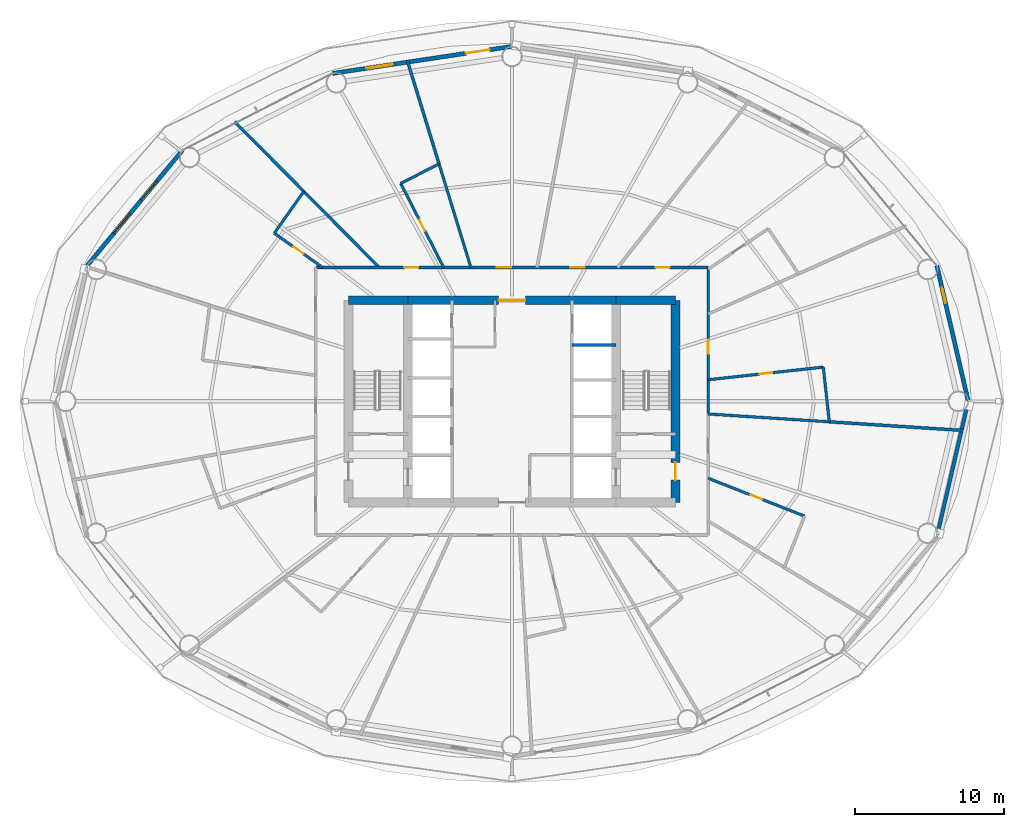
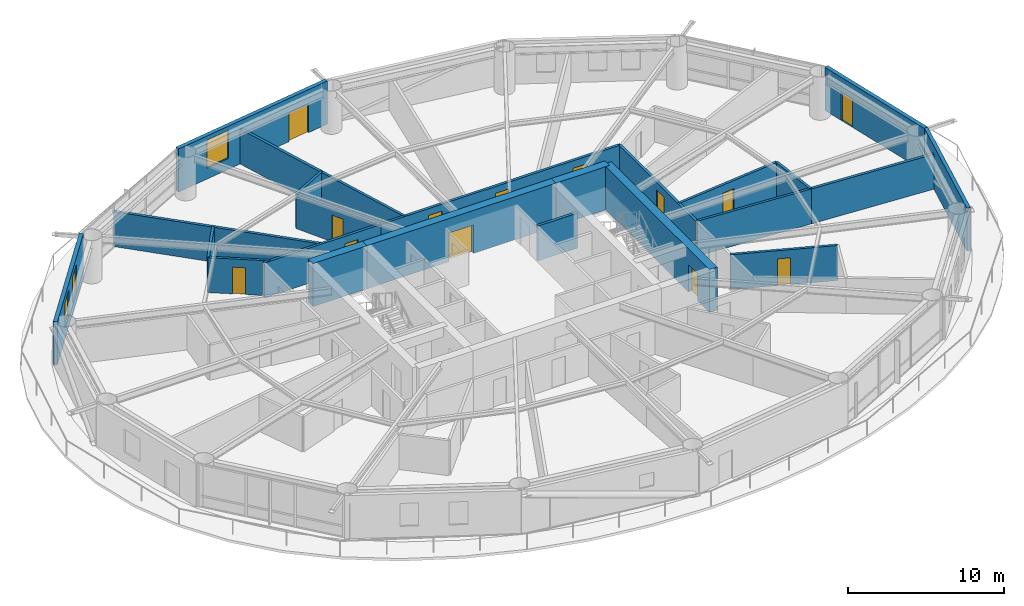
# One storey, part 22 of 26: 24 walls, 13 doors, 3 windows, 16 openings.
"""IFC4 building model written with IfcOpenShell, lengths in metres."""

from ifc_helpers import new_model, si_unit, direction, frame, frame_2d, origin, place, context, subcontext, project, spatial, rectangle, extrude, material, layer, layer_set, type_object, element, fill, save


model = new_model("IFC4")

# Units and contexts
model_context = context("Model", 3, precision=1e-05, world=origin(), true_north=direction((0.0, 1.0)))
body_context = subcontext(model_context, "Body", "Model", "MODEL_VIEW")
ifc_project = project(units=[si_unit("LENGTHUNIT", "METRE"), si_unit("AREAUNIT", "SQUARE_METRE"), si_unit("VOLUMEUNIT", "CUBIC_METRE"), si_unit("PLANEANGLEUNIT", "RADIAN"), si_unit("MASSUNIT", "GRAM", prefix="KILO")], contexts=[model_context])

# Site, building, storey
site_placement = place(None, origin())
site = spatial("IfcSite", under=ifc_project, at=site_placement, CompositionType="ELEMENT")
building_placement = place(site_placement, origin())
building = spatial("IfcBuilding", under=site, at=building_placement, Name="Sarneth Arch Tower", CompositionType="ELEMENT")
storey_placement = place(building_placement, frame((0.0, 0.0, 49.800048828125)))
storey = spatial("IfcBuildingStorey", under=building, at=storey_placement, Name="L11", CompositionType="ELEMENT", Elevation=49.800048828125)

# Wall
ifc_material_1 = material(Name="Concrete C60/75", Category="concrete")
ifc_layer_1 = layer(ifc_material_1, 0.60009765625)
ifc_layer_set_1 = layer_set([ifc_layer_1], Name="Concrete C60/75")
wall_type_1 = type_object("IfcWallType", Name="WALL-CORE-600", PredefinedType="SHEAR", material=ifc_layer_set_1)
wall_1_placement = place(storey_placement, frame((37.0, 48.800048828125, 0.0), z_axis=(0.0, 0.0, 1.0), x_axis=(1.0, 0.0, 0.0)))
element("IfcWall", 1, at=wall_1_placement, inside=storey, type_object=wall_type_1, Name="L11 Core shear wall N-W", PredefinedType="SHEAR", context=body_context, shape_type="SweptSolid", body=[
    extrude(rectangle(XDim=4.0, YDim=0.60009765625, at=frame_2d((2.0, 0.0))), origin(), (0.0, 0.0, 1.0), 3.3798828125),
])

# Wall, opening, door
wall_2_placement = place(storey_placement, frame((41.0, 48.800048828125, 0.0), z_axis=(0.0, 0.0, 1.0), x_axis=(1.0, 0.0, 0.0)))
wall_2 = element("IfcWall", 2, at=wall_2_placement, inside=storey, type_object=wall_type_1, Name="L11 Core shear wall N-M", PredefinedType="SHEAR", context=body_context, shape_type="SweptSolid", body=[
    extrude(rectangle(XDim=14.0, YDim=0.60009765625, at=frame_2d((7.0, 0.0))), origin(), (0.0, 0.0, 1.0), 3.3798828125),
])
opening_1_placement = place(wall_2_placement, frame((6.10009765625, 0.0, 0.0)))
opening_1 = element("IfcOpeningElement", 3, at=opening_1_placement, cuts=wall_2, Name="Opening FD-01", PredefinedType="OPENING", context=body_context, shape_type="SweptSolid", body=[
    extrude(rectangle(XDim=1.800048828125, YDim=2.25, at=frame_2d((0.89990234375, 1.125))), frame((0.0, 0.31005859375, 0.0), z_axis=(0.0, -1.0, 0.0), x_axis=(1.0, 0.0, 0.0)), (0.0, 0.0, 1.0), 0.6201171875),
])
ifc_material_2 = material(Name="Galvanised Steel S275 fire door set", Category="steel")
door_type_1 = type_object("IfcDoorType", Name="DR-FD90-1800", OperationType="DOUBLE_DOOR_SINGLE_SWING", PredefinedType="DOOR", material=ifc_material_2)
door_1_placement = place(opening_1_placement, origin())
door_1 = element("IfcDoor", 4, at=door_1_placement, inside=storey, type_object=door_type_1, Name="L11 Central lift lobby north door", OperationType="DOUBLE_DOOR_SINGLE_SWING", OverallHeight=2.25, OverallWidth=1.800048828125, PredefinedType="DOOR", context=body_context, shape_type="SweptSolid", body=[
    extrude(rectangle(XDim=1.800048828125, YDim=2.25, at=frame_2d((0.89990234375, 1.125))), frame((0.0, 0.02490234375, 0.0), z_axis=(0.0, -1.0, 0.0), x_axis=(1.0, 0.0, 0.0)), (0.0, 0.0, 1.0), 0.050048828125),
])
fill(opening_1, door_1)

# Wall
wall_3_placement = place(storey_placement, frame((55.0, 48.800048828125, 0.0), z_axis=(0.0, 0.0, 1.0), x_axis=(1.0, 0.0, 0.0)))
element("IfcWall", 5, at=wall_3_placement, inside=storey, type_object=wall_type_1, Name="L11 Core shear wall N-E", PredefinedType="SHEAR", context=body_context, shape_type="SweptSolid", body=[
    extrude(rectangle(XDim=4.0, YDim=0.60009765625, at=frame_2d((2.0, 0.0))), origin(), (0.0, 0.0, 1.0), 3.3798828125),
])

# Wall, opening, door
wall_4_placement = place(storey_placement, frame((59.0, 35.199951171875, 0.0), z_axis=(0.0, 0.0, 1.0), x_axis=(0.0, 1.0, 0.0)))
wall_4 = element("IfcWall", 6, at=wall_4_placement, inside=storey, type_object=wall_type_1, Name="L11 Core shear wall E", PredefinedType="SHEAR", context=body_context, shape_type="SweptSolid", body=[
    extrude(rectangle(XDim=13.60009765625, YDim=0.60009765625, at=frame_2d((6.800048828125, 0.0))), origin(), (0.0, 0.0, 1.0), 3.3798828125),
])
opening_2_placement = place(wall_4_placement, frame((1.5, 0.0, 0.0)))
opening_2 = element("IfcOpeningElement", 7, at=opening_2_placement, cuts=wall_4, Name="Opening FD-02", PredefinedType="OPENING", context=body_context, shape_type="SweptSolid", body=[
    extrude(rectangle(XDim=1.199951171875, YDim=2.14990234375, at=frame_2d((0.60009765625, 1.074951171875))), frame((0.0, 0.31005859375, 0.0), z_axis=(0.0, -1.0, 0.0), x_axis=(1.0, 0.0, 0.0)), (0.0, 0.0, 1.0), 0.6201171875),
])
ifc_material_3 = material(Name="Galvanised Steel S275 fire door set", Category="steel")
door_type_2 = type_object("IfcDoorType", Name="DR-FD90-1200", OperationType="SINGLE_SWING_LEFT", PredefinedType="DOOR", material=ifc_material_3)
door_2_placement = place(opening_2_placement, origin())
door_2 = element("IfcDoor", 8, at=door_2_placement, inside=storey, type_object=door_type_2, Name="L11 Firefighting lobby 2 exit door", OperationType="SINGLE_SWING_RIGHT", OverallHeight=2.14990234375, OverallWidth=1.199951171875, PredefinedType="DOOR", context=body_context, shape_type="SweptSolid", body=[
    extrude(rectangle(XDim=1.199951171875, YDim=2.14990234375, at=frame_2d((0.60009765625, 1.074951171875))), frame((0.0, 0.02490234375, 0.0), z_axis=(0.0, -1.0, 0.0), x_axis=(1.0, 0.0, 0.0)), (0.0, 0.0, 1.0), 0.050048828125),
])
fill(opening_2, door_2)

# Wall, openings, doors
ifc_material_4 = material(Name="Double steel-stud corridor fire wall", Category="steel")
ifc_layer_2 = layer(ifc_material_4, 0.18994140625)
ifc_layer_set_2 = layer_set([ifc_layer_2], Name="Double steel-stud corridor fire wall")
wall_type_2 = type_object("IfcWallType", Name="WALL-CORR-190", PredefinedType="PARTITIONING", material=ifc_layer_set_2)
wall_5_placement = place(storey_placement, frame((43.369140625, 51.0, 0.0), z_axis=(0.0, 0.0, 1.0), x_axis=(1.0, 0.0, 0.0)))
wall_5 = element("IfcWall", 9, at=wall_5_placement, inside=storey, type_object=wall_type_2, Name="L11 Interior partition W-L11-TP-001", PredefinedType="PARTITIONING", context=body_context, shape_type="SweptSolid", body=[
    extrude(rectangle(XDim=17.830810546875, YDim=0.18994140625, at=frame_2d((8.91552734375, 0.0))), origin(), (0.0, 0.0, 1.0), 2.739990234375),
])
opening_3_placement = place(wall_5_placement, frame((14.290283203125, 0.0, 0.0)))
opening_3 = element("IfcOpeningElement", 10, at=opening_3_placement, cuts=wall_5, Name="Opening FD-09", PredefinedType="OPENING", context=body_context, shape_type="SweptSolid", body=[
    extrude(rectangle(XDim=0.949951171875, YDim=2.14990234375, at=frame_2d((0.47509765625, 1.074951171875))), frame((0.0, 0.10498046875, 0.0), z_axis=(0.0, -1.0, 0.0), x_axis=(1.0, 0.0, 0.0)), (0.0, 0.0, 1.0), 0.2099609375),
])
opening_4_placement = place(wall_5_placement, frame((8.533203125, 0.0, 0.0)))
opening_4 = element("IfcOpeningElement", 11, at=opening_4_placement, cuts=wall_5, Name="Opening FD-08", PredefinedType="OPENING", context=body_context, shape_type="SweptSolid", body=[
    extrude(rectangle(XDim=1.0, YDim=2.199951171875, at=frame_2d((0.5, 1.10009765625))), frame((0.0, 0.10498046875, 0.0), z_axis=(0.0, -1.0, 0.0), x_axis=(1.0, 0.0, 0.0)), (0.0, 0.0, 1.0), 0.2099609375),
])
opening_5_placement = place(wall_5_placement, frame((3.59130859375, 0.0, 0.0)))
opening_5 = element("IfcOpeningElement", 12, at=opening_5_placement, cuts=wall_5, Name="Opening FD-08", PredefinedType="OPENING", context=body_context, shape_type="SweptSolid", body=[
    extrude(rectangle(XDim=1.0, YDim=2.199951171875, at=frame_2d((0.5, 1.10009765625))), frame((0.0, 0.10498046875, 0.0), z_axis=(0.0, -1.0, 0.0), x_axis=(1.0, 0.0, 0.0)), (0.0, 0.0, 1.0), 0.2099609375),
])
ifc_material_5 = material(Name="Hardwood timber acoustic fire door", Category="wood")
door_type_3 = type_object("IfcDoorType", Name="DR-FD60-1000", OperationType="SINGLE_SWING_LEFT", PredefinedType="DOOR", material=ifc_material_5)
door_3_placement = place(opening_4_placement, origin())
door_3 = element("IfcDoor", 13, at=door_3_placement, inside=storey, type_object=door_type_3, Name="L11 Interior door DR-L11-AMN-02", OperationType="SINGLE_SWING_RIGHT", OverallHeight=2.199951171875, OverallWidth=1.0, PredefinedType="DOOR", context=body_context, shape_type="SweptSolid", body=[
    extrude(rectangle(XDim=1.0, YDim=2.199951171875, at=frame_2d((0.5, 1.10009765625))), frame((0.0, 0.02490234375, 0.0), z_axis=(0.0, -1.0, 0.0), x_axis=(1.0, 0.0, 0.0)), (0.0, 0.0, 1.0), 0.050048828125),
])
fill(opening_4, door_3)
door_4_placement = place(opening_5_placement, origin())
door_4 = element("IfcDoor", 14, at=door_4_placement, inside=storey, type_object=door_type_3, Name="L11 Interior door DR-L11-AMN-03", OperationType="SINGLE_SWING_LEFT", OverallHeight=2.199951171875, OverallWidth=1.0, PredefinedType="DOOR", context=body_context, shape_type="SweptSolid", body=[
    extrude(rectangle(XDim=1.0, YDim=2.199951171875, at=frame_2d((0.5, 1.10009765625))), frame((0.0, 0.02490234375, 0.0), z_axis=(0.0, -1.0, 0.0), x_axis=(1.0, 0.0, 0.0)), (0.0, 0.0, 1.0), 0.050048828125),
])
fill(opening_5, door_4)
ifc_material_6 = material(Name="Hardwood timber hotel entrance fire door", Category="wood")
door_type_4 = type_object("IfcDoorType", Name="DR-FD60-950", OperationType="SINGLE_SWING_RIGHT", PredefinedType="DOOR", material=ifc_material_6)
door_5_placement = place(opening_3_placement, origin())
door_5 = element("IfcDoor", 15, at=door_5_placement, inside=storey, type_object=door_type_4, Name="L11 Interior door DR-L11-KEY-01", OperationType="SINGLE_SWING_LEFT", OverallHeight=2.14990234375, OverallWidth=0.949951171875, PredefinedType="DOOR", context=body_context, shape_type="SweptSolid", body=[
    extrude(rectangle(XDim=0.949951171875, YDim=2.14990234375, at=frame_2d((0.47509765625, 1.074951171875))), frame((0.0, 0.02490234375, 0.0), z_axis=(0.0, -1.0, 0.0), x_axis=(1.0, 0.0, 0.0)), (0.0, 0.0, 1.0), 0.050048828125),
])
fill(opening_3, door_5)

# Wall, opening, door
wall_6_placement = place(storey_placement, frame((61.199951171875, 51.0, 0.0), z_axis=(0.0, 0.0, 1.0), x_axis=(0.0, -1.0, 0.0)))
wall_6 = element("IfcWall", 16, at=wall_6_placement, inside=storey, type_object=wall_type_2, Name="L11 Interior partition W-L11-TP-026", PredefinedType="PARTITIONING", context=body_context, shape_type="SweptSolid", body=[
    extrude(rectangle(XDim=9.851806640625, YDim=0.18994140625, at=frame_2d((4.92578125, 0.0))), origin(), (0.0, 0.0, 1.0), 2.739990234375),
])
opening_6_placement = place(wall_6_placement, frame((4.859130859375, 0.0, 0.0)))
opening_6 = element("IfcOpeningElement", 17, at=opening_6_placement, cuts=wall_6, Name="Opening FD-09", PredefinedType="OPENING", context=body_context, shape_type="SweptSolid", body=[
    extrude(rectangle(XDim=0.949951171875, YDim=2.14990234375, at=frame_2d((0.47509765625, 1.074951171875))), frame((0.0, 0.10498046875, 0.0), z_axis=(0.0, -1.0, 0.0), x_axis=(1.0, 0.0, 0.0)), (0.0, 0.0, 1.0), 0.2099609375),
])
door_6_placement = place(opening_6_placement, origin())
door_6 = element("IfcDoor", 18, at=door_6_placement, inside=storey, type_object=door_type_4, Name="L11 Interior door DR-L11-KEY-13", OperationType="SINGLE_SWING_RIGHT", OverallHeight=2.14990234375, OverallWidth=0.949951171875, PredefinedType="DOOR", context=body_context, shape_type="SweptSolid", body=[
    extrude(rectangle(XDim=0.949951171875, YDim=2.14990234375, at=frame_2d((0.47509765625, 1.074951171875))), frame((0.0, 0.02490234375, 0.0), z_axis=(0.0, -1.0, 0.0), x_axis=(1.0, 0.0, 0.0)), (0.0, 0.0, 1.0), 0.050048828125),
])
fill(opening_6, door_6)

wall_7_placement = place(storey_placement, frame((34.800048828125, 51.0, 0.0), z_axis=(0.0, 0.0, 1.0), x_axis=(1.0, 0.0, 0.0)))
wall_7 = element("IfcWall", 19, at=wall_7_placement, inside=storey, type_object=wall_type_2, Name="L11 Interior partition W-L11-TP-006", PredefinedType="PARTITIONING", context=body_context, shape_type="SweptSolid", body=[
    extrude(rectangle(XDim=8.640869140625, YDim=0.18994140625, at=frame_2d((4.3203125, 0.0))), origin(), (0.0, 0.0, 1.0), 2.739990234375),
])
opening_7_placement = place(wall_7_placement, frame((5.958984375, 0.0, 0.0)))
opening_7 = element("IfcOpeningElement", 20, at=opening_7_placement, cuts=wall_7, Name="Opening FD-09", PredefinedType="OPENING", context=body_context, shape_type="SweptSolid", body=[
    extrude(rectangle(XDim=0.949951171875, YDim=2.14990234375, at=frame_2d((0.47509765625, 1.074951171875))), frame((0.0, 0.10498046875, 0.0), z_axis=(0.0, -1.0, 0.0), x_axis=(1.0, 0.0, 0.0)), (0.0, 0.0, 1.0), 0.2099609375),
])
door_7_placement = place(opening_7_placement, origin())
door_7 = element("IfcDoor", 21, at=door_7_placement, inside=storey, type_object=door_type_4, Name="L11 Interior door DR-L11-KEY-04", OperationType="SINGLE_SWING_RIGHT", OverallHeight=2.14990234375, OverallWidth=0.949951171875, PredefinedType="DOOR", context=body_context, shape_type="SweptSolid", body=[
    extrude(rectangle(XDim=0.949951171875, YDim=2.14990234375, at=frame_2d((0.47509765625, 1.074951171875))), frame((0.0, 0.02490234375, 0.0), z_axis=(0.0, -1.0, 0.0), x_axis=(1.0, 0.0, 0.0)), (0.0, 0.0, 1.0), 0.050048828125),
])
fill(opening_7, door_7)

# Wall
ifc_material_7 = material(Name="Extruded terracotta rainscreen on Concrete C40/50 backing", Category="masonry")
ifc_layer_3 = layer(ifc_material_7, 0.25)
ifc_layer_set_3 = layer_set([ifc_layer_3], Name="Extruded terracotta rainscreen on Concrete C40/50 backing")
wall_type_3 = type_object("IfcWallType", Name="WALL-EXT-SPAND-250", PredefinedType="SOLIDWALL", material=ifc_layer_set_3)
wall_8_placement = place(storey_placement, frame((76.5810546875, 32.861572265625, 0.0), z_axis=(0.0, 0.0, 1.0), x_axis=(0.225454452941, 0.974253709076, 0.0)))
element("IfcWall", 22, at=wall_8_placement, inside=storey, type_object=wall_type_3, Name="L11 Terracotta perimeter wall 16", PredefinedType="SOLIDWALL", context=body_context, shape_type="SweptSolid", body=[
    extrude(rectangle(XDim=9.3798828125, YDim=0.25, at=frame_2d((4.68994140625, 0.0))), origin(), (0.0, 0.0, 1.0), 3.3798828125),
])

# Wall, opening, door
ifc_material_8 = material(Name="Extruded terracotta rainscreen on Concrete C40/50 backing", Category="masonry")
ifc_layer_4 = layer(ifc_material_8, 0.280029296875)
ifc_layer_set_4 = layer_set([ifc_layer_4], Name="Extruded terracotta rainscreen on Concrete C40/50 backing")
wall_type_4 = type_object("IfcWallType", Name="WALL-EXT-TERRA-280", PredefinedType="SOLIDWALL", material=ifc_layer_set_4)
wall_9_placement = place(storey_placement, frame((78.69580078125, 42.0, 0.0), z_axis=(0.0, 0.0, 1.0), x_axis=(-0.225454452941, 0.974253709076, 0.0)))
wall_9 = element("IfcWall", 23, at=wall_9_placement, inside=storey, type_object=wall_type_4, Name="L11 Terracotta perimeter wall 01", PredefinedType="SOLIDWALL", context=body_context, shape_type="SweptSolid", body=[
    extrude(rectangle(XDim=9.3798828125, YDim=0.280029296875, at=frame_2d((4.68994140625, 0.0))), origin(), (0.0, 0.0, 1.0), 3.3798828125),
])
opening_8_placement = place(wall_9_placement, frame((6.78515625, 0.0, 0.0)))
opening_8 = element("IfcOpeningElement", 24, at=opening_8_placement, cuts=wall_9, Name="Opening BD-4", PredefinedType="OPENING", context=body_context, shape_type="SweptSolid", body=[
    extrude(rectangle(XDim=1.050048828125, YDim=2.199951171875, at=frame_2d((0.52490234375, 1.10009765625))), frame((0.0, 0.14990234375, 0.0), z_axis=(0.0, -1.0, 0.0), x_axis=(1.0, 0.0, 0.0)), (0.0, 0.0, 1.0), 0.300048828125),
])
ifc_material_9 = material(Name="Thermally broken Aluminium 6063-T6 and laminated safety glass", Category="aluminium")
door_type_5 = type_object("IfcDoorType", Name="DR-BALC-GLZ-1050", OperationType="SINGLE_SWING_RIGHT", PredefinedType="DOOR", material=ifc_material_9)
door_8_placement = place(opening_8_placement, origin())
door_8 = element("IfcDoor", 25, at=door_8_placement, inside=storey, type_object=door_type_5, Name="L11 Balcony glazed door 01", OperationType="SINGLE_SWING_RIGHT", OverallHeight=2.199951171875, OverallWidth=1.050048828125, PredefinedType="DOOR", context=body_context, shape_type="SweptSolid", body=[
    extrude(rectangle(XDim=1.050048828125, YDim=2.199951171875, at=frame_2d((0.52490234375, 1.10009765625))), frame((0.0, 0.02490234375, 0.0), z_axis=(0.0, -1.0, 0.0), x_axis=(1.0, 0.0, 0.0)), (0.0, 0.0, 1.0), 0.050048828125),
])
fill(opening_8, door_8)

# Wall, openings, door, window
wall_10_placement = place(storey_placement, frame((48.0, 65.8798828125, 0.0), z_axis=(0.0, 0.0, 1.0), x_axis=(-0.988864835849, -0.148816452121, 0.0)))
wall_10 = element("IfcWall", 26, at=wall_10_placement, inside=storey, type_object=wall_type_4, Name="L11 Terracotta perimeter wall 05", PredefinedType="SOLIDWALL", context=body_context, shape_type="SweptSolid", body=[
    extrude(rectangle(XDim=12.2138671875, YDim=0.280029296875, at=frame_2d((6.10693359375, 0.0))), origin(), (0.0, 0.0, 1.0), 3.3798828125),
])
opening_9_placement = place(wall_10_placement, frame((1.53125, 0.0, 0.0)))
opening_9 = element("IfcOpeningElement", 27, at=opening_9_placement, cuts=wall_10, Name="Opening BD-1", PredefinedType="OPENING", context=body_context, shape_type="SweptSolid", body=[
    extrude(rectangle(XDim=1.60009765625, YDim=2.25, at=frame_2d((0.800048828125, 1.125))), frame((0.0, 0.14990234375, 0.0), z_axis=(0.0, -1.0, 0.0), x_axis=(1.0, 0.0, 0.0)), (0.0, 0.0, 1.0), 0.300048828125),
])
opening_10_placement = place(wall_10_placement, frame((8.104248046875, 0.0, 0.85009765625)))
opening_10 = element("IfcOpeningElement", 28, at=opening_10_placement, cuts=wall_10, Name="Opening W-04", PredefinedType="OPENING", context=body_context, shape_type="SweptSolid", body=[
    extrude(rectangle(XDim=1.800048828125, YDim=2.199951171875, at=frame_2d((0.89990234375, 1.10009765625))), frame((0.0, 0.14990234375, 0.0), z_axis=(0.0, -1.0, 0.0), x_axis=(1.0, 0.0, 0.0)), (0.0, 0.0, 1.0), 0.300048828125),
])
ifc_material_10 = material(Name="Thermally broken Aluminium 6063-T6 and laminated safety glass", Category="aluminium")
door_type_6 = type_object("IfcDoorType", Name="DR-BALC-GLZ-1600", OperationType="DOUBLE_DOOR_SINGLE_SWING", PredefinedType="DOOR", material=ifc_material_10)
door_9_placement = place(opening_9_placement, origin())
door_9 = element("IfcDoor", 29, at=door_9_placement, inside=storey, type_object=door_type_6, Name="L11 Balcony glazed door 05", OperationType="DOUBLE_DOOR_SINGLE_SWING", OverallHeight=2.25, OverallWidth=1.60009765625, PredefinedType="DOOR", context=body_context, shape_type="SweptSolid", body=[
    extrude(rectangle(XDim=1.60009765625, YDim=2.25, at=frame_2d((0.800048828125, 1.125))), frame((0.0, 0.02490234375, 0.0), z_axis=(0.0, -1.0, 0.0), x_axis=(1.0, 0.0, 0.0)), (0.0, 0.0, 1.0), 0.050048828125),
])
fill(opening_9, door_9)
ifc_material_11 = material(Name="Thermally broken Aluminium 6063-T6 and low-e laminated IGU", Category="aluminium")
window_type_1 = type_object("IfcWindowType", Name="WIN-TWR-1800x2200", PartitioningType="DOUBLE_PANEL_VERTICAL", PredefinedType="WINDOW", material=ifc_material_11)
window_1_placement = place(opening_10_placement, origin())
window_1 = element("IfcWindow", 30, at=window_1_placement, inside=storey, type_object=window_type_1, Name="L11 Exterior window 05A", OverallHeight=2.199951171875, OverallWidth=1.800048828125, PartitioningType="SINGLE_PANEL", PredefinedType="WINDOW", context=body_context, shape_type="SweptSolid", body=[
    extrude(rectangle(XDim=1.800048828125, YDim=2.199951171875, at=frame_2d((0.89990234375, 1.10009765625))), frame((0.0, 0.030029296875, 0.0), z_axis=(0.0, -1.0, 0.0), x_axis=(1.0, 0.0, 0.0)), (0.0, 0.0, 1.0), 0.06005859375),
])
fill(opening_10, window_1)

# Wall, openings, windows
wall_11_placement = place(storey_placement, frame((25.825927734375, 58.8857421875, 0.0), z_axis=(0.0, 0.0, 1.0), x_axis=(-0.637296809613, -0.770618437657, 0.0)))
wall_11 = element("IfcWall", 31, at=wall_11_placement, inside=storey, type_object=wall_type_4, Name="L11 Terracotta perimeter wall 07", PredefinedType="SOLIDWALL", context=body_context, shape_type="SweptSolid", body=[
    extrude(rectangle(XDim=10.053466796875, YDim=0.280029296875, at=frame_2d((5.02685546875, 0.0))), origin(), (0.0, 0.0, 1.0), 3.3798828125),
])
opening_11_placement = place(wall_11_placement, frame((2.697998046875, 0.0, 0.85009765625)))
opening_11 = element("IfcOpeningElement", 32, at=opening_11_placement, cuts=wall_11, Name="Opening W-05", PredefinedType="OPENING", context=body_context, shape_type="SweptSolid", body=[
    extrude(rectangle(XDim=1.64990234375, YDim=2.0, at=frame_2d((0.824951171875, 1.0))), frame((0.0, 0.14990234375, 0.0), z_axis=(0.0, -1.0, 0.0), x_axis=(1.0, 0.0, 0.0)), (0.0, 0.0, 1.0), 0.300048828125),
])
opening_12_placement = place(wall_11_placement, frame((5.579833984375, 0.0, 0.85009765625)))
opening_12 = element("IfcOpeningElement", 33, at=opening_12_placement, cuts=wall_11, Name="Opening W-05", PredefinedType="OPENING", context=body_context, shape_type="SweptSolid", body=[
    extrude(rectangle(XDim=1.64990234375, YDim=2.0, at=frame_2d((0.824951171875, 1.0))), frame((0.0, 0.14990234375, 0.0), z_axis=(0.0, -1.0, 0.0), x_axis=(1.0, 0.0, 0.0)), (0.0, 0.0, 1.0), 0.300048828125),
])
ifc_material_12 = material(Name="Thermally broken Aluminium 6063-T6 and low-e laminated IGU", Category="aluminium")
window_type_2 = type_object("IfcWindowType", Name="WIN-TWR-1650x2000", PartitioningType="DOUBLE_PANEL_VERTICAL", PredefinedType="WINDOW", material=ifc_material_12)
window_2_placement = place(opening_11_placement, origin())
window_2 = element("IfcWindow", 34, at=window_2_placement, inside=storey, type_object=window_type_2, Name="L11 Exterior window 07A", OverallHeight=2.0, OverallWidth=1.64990234375, PartitioningType="SINGLE_PANEL", PredefinedType="WINDOW", context=body_context, shape_type="SweptSolid", body=[
    extrude(rectangle(XDim=1.64990234375, YDim=2.0, at=frame_2d((0.824951171875, 1.0))), frame((0.0, 0.030029296875, 0.0), z_axis=(0.0, -1.0, 0.0), x_axis=(1.0, 0.0, 0.0)), (0.0, 0.0, 1.0), 0.06005859375),
])
fill(opening_11, window_2)
window_3_placement = place(opening_12_placement, origin())
window_3 = element("IfcWindow", 35, at=window_3_placement, inside=storey, type_object=window_type_2, Name="L11 Exterior window 07B", OverallHeight=2.0, OverallWidth=1.64990234375, PartitioningType="SINGLE_PANEL", PredefinedType="WINDOW", context=body_context, shape_type="SweptSolid", body=[
    extrude(rectangle(XDim=1.64990234375, YDim=2.0, at=frame_2d((0.824951171875, 1.0))), frame((0.0, 0.030029296875, 0.0), z_axis=(0.0, -1.0, 0.0), x_axis=(1.0, 0.0, 0.0)), (0.0, 0.0, 1.0), 0.06005859375),
])
fill(opening_12, window_3)

# Wall
ifc_material_13 = material(Name="Moisture-resistant plumbing chase wall", Category="gypsum")
ifc_layer_5 = layer(ifc_material_13, 0.179931640625)
ifc_layer_set_5 = layer_set([ifc_layer_5], Name="Moisture-resistant plumbing chase wall")
wall_type_5 = type_object("IfcWallType", Name="WALL-PLUMB-180", PredefinedType="PLUMBINGWALL", material=ifc_layer_set_5)
wall_12_placement = place(storey_placement, frame((69.34912109375, 40.622314453125, 0.0), z_axis=(0.0, 0.0, 1.0), x_axis=(-0.997924317455, 0.064397644621, 0.0)))
element("IfcWall", 36, at=wall_12_placement, inside=storey, type_object=wall_type_5, Name="L11 Interior partition W-L11-TP-068", PredefinedType="PLUMBINGWALL", context=body_context, shape_type="SweptSolid", body=[
    extrude(rectangle(XDim=8.166015625, YDim=0.179931640625, at=frame_2d((4.0830078125, 0.0))), origin(), (0.0, 0.0, 1.0), 2.739990234375),
])

# Wall, opening, door
wall_13_placement = place(storey_placement, frame((61.199951171875, 43.451904296875, 0.0), z_axis=(0.0, 0.0, 1.0), x_axis=(0.994005037085, 0.109334286708, 0.0)))
wall_13 = element("IfcWall", 37, at=wall_13_placement, inside=storey, type_object=wall_type_5, Name="L11 Interior partition W-L11-TP-069", PredefinedType="PLUMBINGWALL", context=body_context, shape_type="SweptSolid", body=[
    extrude(rectangle(XDim=7.790771484375, YDim=0.179931640625, at=frame_2d((3.8955078125, 0.0))), origin(), (0.0, 0.0, 1.0), 2.739990234375),
])
opening_13_placement = place(wall_13_placement, frame((3.470458984375, 0.0, 0.0)))
opening_13 = element("IfcOpeningElement", 38, at=opening_13_placement, cuts=wall_13, Name="Opening ID-02", PredefinedType="OPENING", context=body_context, shape_type="SweptSolid", body=[
    extrude(rectangle(XDim=0.85009765625, YDim=2.10009765625, at=frame_2d((0.425048828125, 1.050048828125))), frame((0.0, 0.099853515625, 0.0), z_axis=(0.0, -1.0, 0.0), x_axis=(1.0, 0.0, 0.0)), (0.0, 0.0, 1.0), 0.199951171875),
])
ifc_material_14 = material(Name="Moisture-resistant bathroom timber door", Category="wood")
door_type_7 = type_object("IfcDoorType", Name="DR-INT-850", OperationType="SINGLE_SWING_RIGHT", PredefinedType="DOOR", material=ifc_material_14)
door_10_placement = place(opening_13_placement, origin())
door_10 = element("IfcDoor", 39, at=door_10_placement, inside=storey, type_object=door_type_7, Name="L11 Interior door DR-L11-ENS-13", OperationType="SINGLE_SWING_LEFT", OverallHeight=2.10009765625, OverallWidth=0.85009765625, PredefinedType="DOOR", context=body_context, shape_type="SweptSolid", body=[
    extrude(rectangle(XDim=0.85009765625, YDim=2.10009765625, at=frame_2d((0.425048828125, 1.050048828125))), frame((0.0, 0.02490234375, 0.0), z_axis=(0.0, -1.0, 0.0), x_axis=(1.0, 0.0, 0.0)), (0.0, 0.0, 1.0), 0.050048828125),
])
fill(opening_13, door_10)

# Wall
wall_14_placement = place(storey_placement, frame((43.092041015625, 57.976318359375, 0.0), z_axis=(0.0, 0.0, 1.0), x_axis=(0.293648581073, -0.95591344317, 0.0)))
element("IfcWall", 40, at=wall_14_placement, inside=storey, type_object=wall_type_5, Name="L11 Interior partition W-L11-TP-035", PredefinedType="PLUMBINGWALL", context=body_context, shape_type="SweptSolid", body=[
    extrude(rectangle(XDim=7.298095703125, YDim=0.179931640625, at=frame_2d((3.64892578125, 0.0))), origin(), (0.0, 0.0, 1.0), 2.739990234375),
])

# Wall, opening, door
wall_15_placement = place(storey_placement, frame((61.199951171875, 36.822998046875, 0.0), z_axis=(0.0, 0.0, 1.0), x_axis=(0.930954264603, -0.365135806539, 0.0)))
wall_15 = element("IfcWall", 41, at=wall_15_placement, inside=storey, type_object=wall_type_5, Name="L11 Interior partition W-L11-TP-065", PredefinedType="PLUMBINGWALL", context=body_context, shape_type="SweptSolid", body=[
    extrude(rectangle(XDim=6.961181640625, YDim=0.179931640625, at=frame_2d((3.48046875, 0.0))), origin(), (0.0, 0.0, 1.0), 2.739990234375),
])
opening_14_placement = place(wall_15_placement, frame((3.055419921875, 0.0, 0.0)))
opening_14 = element("IfcOpeningElement", 42, at=opening_14_placement, cuts=wall_15, Name="Opening ID-02", PredefinedType="OPENING", context=body_context, shape_type="SweptSolid", body=[
    extrude(rectangle(XDim=0.85009765625, YDim=2.10009765625, at=frame_2d((0.425048828125, 1.050048828125))), frame((0.0, 0.099853515625, 0.0), z_axis=(0.0, -1.0, 0.0), x_axis=(1.0, 0.0, 0.0)), (0.0, 0.0, 1.0), 0.199951171875),
])
door_11_placement = place(opening_14_placement, origin())
door_11 = element("IfcDoor", 43, at=door_11_placement, inside=storey, type_object=door_type_7, Name="L11 Interior door DR-L11-ENS-12", OperationType="SINGLE_SWING_LEFT", OverallHeight=2.10009765625, OverallWidth=0.85009765625, PredefinedType="DOOR", context=body_context, shape_type="SweptSolid", body=[
    extrude(rectangle(XDim=0.85009765625, YDim=2.10009765625, at=frame_2d((0.425048828125, 1.050048828125))), frame((0.0, 0.02490234375, 0.0), z_axis=(0.0, -1.0, 0.0), x_axis=(1.0, 0.0, 0.0)), (0.0, 0.0, 1.0), 0.050048828125),
])
fill(opening_14, door_11)

wall_16_placement = place(storey_placement, frame((43.405029296875, 51.0, 0.0), z_axis=(0.0, 0.0, 1.0), x_axis=(-0.454680565764, 0.890654581259, 0.0)))
wall_16 = element("IfcWall", 44, at=wall_16_placement, inside=storey, type_object=wall_type_5, Name="L11 Interior partition W-L11-TP-036", PredefinedType="PLUMBINGWALL", context=body_context, shape_type="SweptSolid", body=[
    extrude(rectangle(XDim=6.35595703125, YDim=0.179931640625, at=frame_2d((3.177978515625, 0.0))), origin(), (0.0, 0.0, 1.0), 2.739990234375),
])
opening_15_placement = place(wall_16_placement, frame((2.7529296875, 0.0, 0.0)))
opening_15 = element("IfcOpeningElement", 45, at=opening_15_placement, cuts=wall_16, Name="Opening ID-02", PredefinedType="OPENING", context=body_context, shape_type="SweptSolid", body=[
    extrude(rectangle(XDim=0.85009765625, YDim=2.10009765625, at=frame_2d((0.425048828125, 1.050048828125))), frame((0.0, 0.099853515625, 0.0), z_axis=(0.0, -1.0, 0.0), x_axis=(1.0, 0.0, 0.0)), (0.0, 0.0, 1.0), 0.199951171875),
])
door_12_placement = place(opening_15_placement, origin())
door_12 = element("IfcDoor", 46, at=door_12_placement, inside=storey, type_object=door_type_7, Name="L11 Interior door DR-L11-ENS-04", OperationType="SINGLE_SWING_RIGHT", OverallHeight=2.10009765625, OverallWidth=0.85009765625, PredefinedType="DOOR", context=body_context, shape_type="SweptSolid", body=[
    extrude(rectangle(XDim=0.85009765625, YDim=2.10009765625, at=frame_2d((0.425048828125, 1.050048828125))), frame((0.0, 0.02490234375, 0.0), z_axis=(0.0, -1.0, 0.0), x_axis=(1.0, 0.0, 0.0)), (0.0, 0.0, 1.0), 0.050048828125),
])
fill(opening_15, door_12)

wall_17_placement = place(storey_placement, frame((32.0048828125, 53.30908203125, 0.0), z_axis=(0.0, 0.0, 1.0), x_axis=(0.816524416543, -0.577310901672, 0.0)))
wall_17 = element("IfcWall", 47, at=wall_17_placement, inside=storey, type_object=wall_type_5, Name="L11 Interior partition W-L11-TP-041", PredefinedType="PLUMBINGWALL", context=body_context, shape_type="SweptSolid", body=[
    extrude(rectangle(XDim=3.999755859375, YDim=0.179931640625, at=frame_2d((2.0, 0.0))), origin(), (0.0, 0.0, 1.0), 2.739990234375),
])
opening_16_placement = place(wall_17_placement, frame((1.574951171875, 0.0, 0.0)))
opening_16 = element("IfcOpeningElement", 48, at=opening_16_placement, cuts=wall_17, Name="Opening ID-02", PredefinedType="OPENING", context=body_context, shape_type="SweptSolid", body=[
    extrude(rectangle(XDim=0.85009765625, YDim=2.10009765625, at=frame_2d((0.425048828125, 1.050048828125))), frame((0.0, 0.099853515625, 0.0), z_axis=(0.0, -1.0, 0.0), x_axis=(1.0, 0.0, 0.0)), (0.0, 0.0, 1.0), 0.199951171875),
])
door_13_placement = place(opening_16_placement, origin())
door_13 = element("IfcDoor", 49, at=door_13_placement, inside=storey, type_object=door_type_7, Name="L11 Interior door DR-L11-ENS-05", OperationType="SINGLE_SWING_RIGHT", OverallHeight=2.10009765625, OverallWidth=0.85009765625, PredefinedType="DOOR", context=body_context, shape_type="SweptSolid", body=[
    extrude(rectangle(XDim=0.85009765625, YDim=2.10009765625, at=frame_2d((0.425048828125, 1.050048828125))), frame((0.0, 0.02490234375, 0.0), z_axis=(0.0, -1.0, 0.0), x_axis=(1.0, 0.0, 0.0)), (0.0, 0.0, 1.0), 0.050048828125),
])
fill(opening_16, door_13)

# Walls
wall_18_placement = place(storey_placement, frame((68.944091796875, 44.3037109375, 0.0), z_axis=(0.0, 0.0, 1.0), x_axis=(0.109360669908, -0.994002134745, 0.0)))
element("IfcWall", 50, at=wall_18_placement, inside=storey, type_object=wall_type_5, Name="L11 Interior partition W-L11-TP-070", PredefinedType="PLUMBINGWALL", context=body_context, shape_type="SweptSolid", body=[
    extrude(rectangle(XDim=3.70361328125, YDim=0.179931640625, at=frame_2d((1.851806640625, 0.0))), origin(), (0.0, 0.0, 1.0), 2.739990234375),
])
wall_19_placement = place(storey_placement, frame((33.99267578125, 56.12060546875, 0.0), z_axis=(0.0, 0.0, 1.0), x_axis=(-0.57730102799, -0.816531397487, 0.0)))
element("IfcWall", 51, at=wall_19_placement, inside=storey, type_object=wall_type_5, Name="L11 Interior partition W-L11-TP-040", PredefinedType="PLUMBINGWALL", context=body_context, shape_type="SweptSolid", body=[
    extrude(rectangle(XDim=3.443359375, YDim=0.179931640625, at=frame_2d((1.7216796875, 0.0))), origin(), (0.0, 0.0, 1.0), 2.739990234375),
])
wall_20_placement = place(storey_placement, frame((40.51513671875, 56.660888671875, 0.0), z_axis=(0.0, 0.0, 1.0), x_axis=(0.890666340124, 0.454657531083, 0.0)))
element("IfcWall", 52, at=wall_20_placement, inside=storey, type_object=wall_type_5, Name="L11 Interior partition W-L11-TP-037", PredefinedType="PLUMBINGWALL", context=body_context, shape_type="SweptSolid", body=[
    extrude(rectangle(XDim=2.893310546875, YDim=0.179931640625, at=frame_2d((1.44677734375, 0.0))), origin(), (0.0, 0.0, 1.0), 2.739990234375),
])
ifc_material_15 = material(Name="Aerated concrete blockwork C25/30", Category="masonry")
ifc_layer_6 = layer(ifc_material_15, 0.199951171875)
ifc_layer_set_6 = layer_set([ifc_layer_6], Name="Aerated concrete blockwork C25/30")
wall_type_6 = type_object("IfcWallType", Name="WALL-SHAFT-200", PredefinedType="SOLIDWALL", material=ifc_layer_set_6)
wall_21_placement = place(storey_placement, frame((52.050048828125, 45.800048828125, 0.0), z_axis=(0.0, 0.0, 1.0), x_axis=(1.0, 0.0, 0.0)))
element("IfcWall", 53, at=wall_21_placement, inside=storey, type_object=wall_type_6, Name="L11 Interior partition W-L11-EB-DIV-4580", PredefinedType="SOLIDWALL", context=body_context, shape_type="SweptSolid", body=[
    extrude(rectangle(XDim=2.949951171875, YDim=0.199951171875, at=frame_2d((1.47509765625, 0.0))), origin(), (0.0, 0.0, 1.0), 2.739990234375),
])
ifc_material_16 = material(Name="Double steel-stud acoustic drywall", Category="steel")
ifc_layer_7 = layer(ifc_material_16, 0.199951171875)
ifc_layer_set_7 = layer_set([ifc_layer_7], Name="Double steel-stud acoustic drywall")
wall_type_7 = type_object("IfcWallType", Name="WALL-UNIT-200", PredefinedType="PARTITIONING", material=ifc_layer_set_7)
wall_22_placement = place(storey_placement, frame((78.364013671875, 40.04052734375, 0.0), z_axis=(0.0, 0.0, 1.0), x_axis=(-0.997924020497, 0.064402246198, 0.0)))
element("IfcWall", 54, at=wall_22_placement, inside=storey, type_object=wall_type_7, Name="L11 Interior partition W-L11-TP-067", PredefinedType="PARTITIONING", context=body_context, shape_type="SweptSolid", body=[
    extrude(rectangle(XDim=9.03369140625, YDim=0.199951171875, at=frame_2d((4.516845703125, 0.0))), origin(), (0.0, 0.0, 1.0), 2.739990234375),
])
wall_23_placement = place(storey_placement, frame((40.953125, 64.939453125, 0.0), z_axis=(0.0, 0.0, 1.0), x_axis=(0.293635973675, -0.955917315966, 0.0)))
element("IfcWall", 55, at=wall_23_placement, inside=storey, type_object=wall_type_7, Name="L11 Interior partition W-L11-TP-034", PredefinedType="PARTITIONING", context=body_context, shape_type="SweptSolid", body=[
    extrude(rectangle(XDim=7.2841796875, YDim=0.199951171875, at=frame_2d((3.64208984375, 0.0))), origin(), (0.0, 0.0, 1.0), 2.739990234375),
])
wall_24_placement = place(storey_placement, frame((39.072265625, 51.0, 0.0), z_axis=(0.0, 0.0, 1.0), x_axis=(-0.704257683765, 0.70994444491, 0.0)))
element("IfcWall", 56, at=wall_24_placement, inside=storey, type_object=wall_type_7, Name="L11 Interior partition W-L11-TP-039", PredefinedType="PARTITIONING", context=body_context, shape_type="SweptSolid", body=[
    extrude(rectangle(XDim=13.823974609375, YDim=0.199951171875, at=frame_2d((6.912109375, 0.0))), origin(), (0.0, 0.0, 1.0), 2.739990234375),
])

save(model, "model.ifc")
